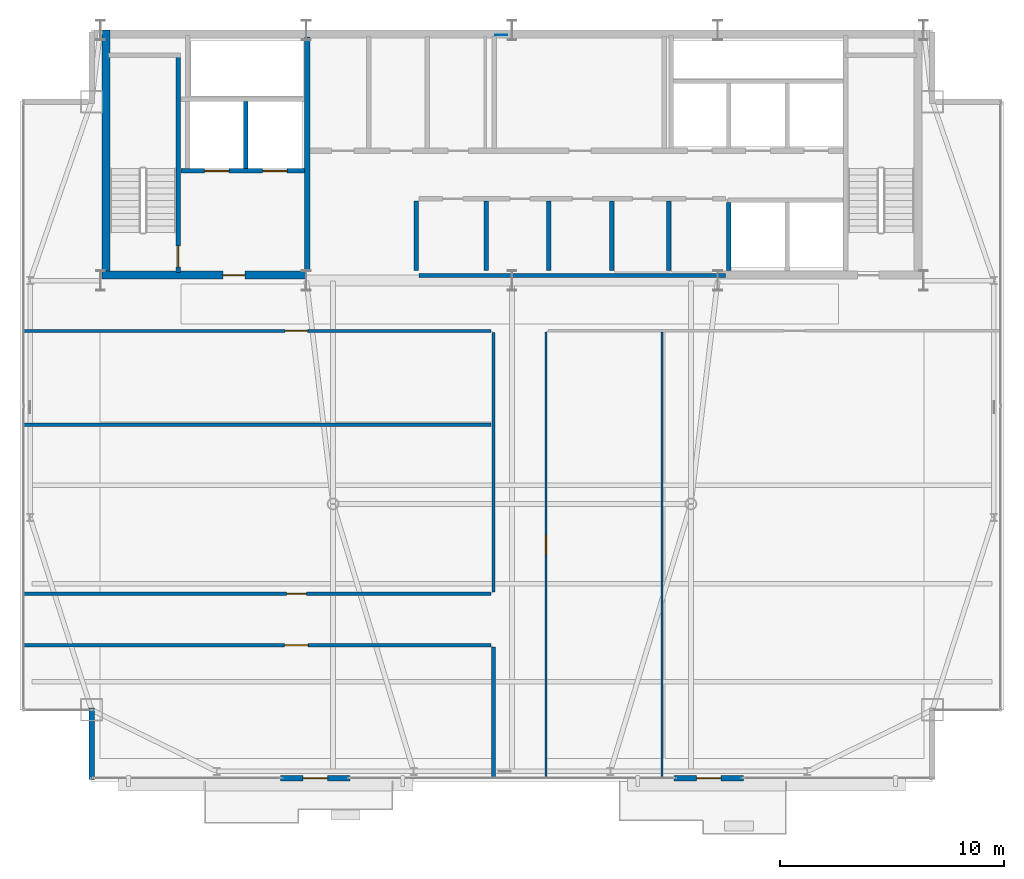
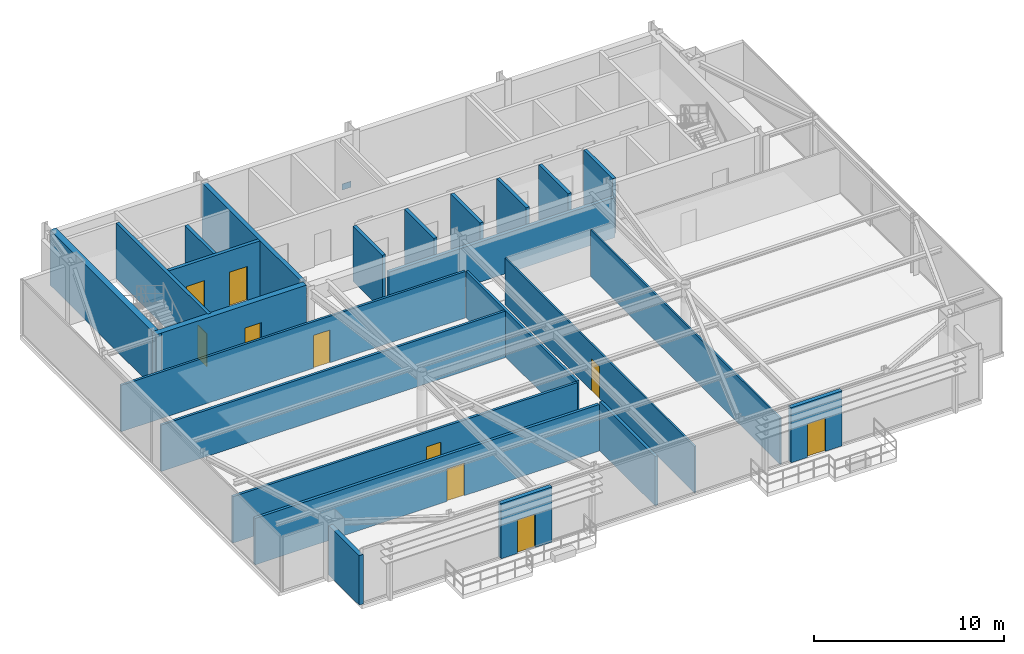
# One storey, part 19 of 23: 24 walls, 10 doors, 1 plate, 10 openings.
"""IFC4 building model written with IfcOpenShell, lengths in metres."""

from ifc_helpers import new_model, si_unit, direction, frame, frame_2d, origin, origin_2d, place, context, subcontext, project, spatial, rectangle, extrude, source, transform, mapped, material, layer, layer_set, type_object, type_shapes, element, fill, save


model = new_model("IFC4")

# Units and contexts
model_context = context("Model", 3, precision=1e-05, world=origin(), true_north=direction((0.0, 1.0)))
body_context = subcontext(model_context, "Body", "Model", "MODEL_VIEW")
ifc_project = project(units=[si_unit("LENGTHUNIT", "METRE"), si_unit("AREAUNIT", "SQUARE_METRE"), si_unit("VOLUMEUNIT", "CUBIC_METRE"), si_unit("PLANEANGLEUNIT", "RADIAN"), si_unit("MASSUNIT", "GRAM", prefix="KILO")], contexts=[model_context])

# Site, building, storey
site_placement = place(None, origin())
site = spatial("IfcSite", under=ifc_project, at=site_placement, CompositionType="ELEMENT")
building_placement = place(site_placement, origin())
building = spatial("IfcBuilding", under=site, at=building_placement, Name="Varnel Quay Broadcast Tower", CompositionType="ELEMENT")
storey_placement = place(building_placement, frame((0.0, 0.0, 266.0)))
storey = spatial("IfcBuildingStorey", under=building, at=storey_placement, Name="L66", CompositionType="ELEMENT", Elevation=266.0)

# Plate
ifc_material_1 = material(Name="Structural Steel CSA G40.21 350WT", Category="steel")
ifc_layer_1 = layer(ifc_material_1, 0.031982421875, Name="Structural Steel CSA G40.21 350WT")
ifc_layer_set_1 = layer_set([ifc_layer_1], Name="Structural Steel CSA G40.21 350WT")
plate_type = type_object("IfcPlateType", Name="Plate_EndCap", PredefinedType="USERDEFINED", material=ifc_layer_set_1)
shared_shape_1 = source(origin(), body_context, "Body", "SweptSolid", [
    extrude(rectangle(XDim=0.5400390625, YDim=0.031982421875, at=origin_2d()), origin(), (0.0, 0.0, 1.0), 0.3798828125),
])
type_shapes(plate_type, [shared_shape_1])
plate_placement = place(storey_placement, frame((33.524169921875, 46.580078125, 0.070556640625), z_axis=(0.0, 0.0, 1.0), x_axis=(1.0, 0.0, 0.0)))
element("IfcPlate", 1, at=plate_placement, inside=storey, type_object=plate_type, Name="Zone 5 Mega-Brace N-CT1 Diag B2 End Connection Plate P0", ObjectType="CAP_PLATE", PredefinedType="USERDEFINED", context=body_context, shape_type="MappedRepresentation", body=[
    mapped(shared_shape_1, transform((0.0, 0.0, 0.0), x_axis=(1.0, 0.0, 0.0), y_axis=(0.0, 1.0, 0.0), z_axis=(0.0, 0.0, 1.0), scale=1.0)),
])

# Wall, opening, door
ifc_material_2 = material(Name="Concrete CSA A23.3 C50/60", Category="concrete")
ifc_layer_2 = layer(ifc_material_2, 0.199951171875, Name="Concrete CSA A23.3 C50/60")
ifc_layer_set_2 = layer_set([ifc_layer_2], Name="Concrete CSA A23.3 C50/60")
wall_type_1 = type_object("IfcWallType", Name="Wall_CoreShaftShear200", PredefinedType="SHEAR", material=ifc_layer_set_2)
wall_1_placement = place(storey_placement, frame((19.080078125, 35.949951171875, 0.0), z_axis=(0.0, 0.0, 1.0), x_axis=(0.0, 1.0, 0.0)))
wall_1 = element("IfcWall", 2, at=wall_1_placement, inside=storey, type_object=wall_type_1, Name="L66 Stair 1 East Structural Wall", PredefinedType="SHEAR", context=body_context, shape_type="SweptSolid", body=[
    extrude(rectangle(XDim=9.650146484375, YDim=0.199951171875, at=frame_2d((4.8251953125, 0.0))), origin(), (0.0, 0.0, 1.0), 3.550048828125),
])
opening_1_placement = place(wall_1_placement, frame((0.25, 0.0, 0.0)))
opening_1 = element("IfcOpeningElement", 3, at=opening_1_placement, cuts=wall_1, Name="Opening D-L66-S1", PredefinedType="OPENING", context=body_context, shape_type="SweptSolid", body=[
    extrude(rectangle(XDim=0.949951171875, YDim=2.10009765625, at=frame_2d((0.47509765625, 1.050048828125))), frame((0.0, 0.10986328125, 0.0), z_axis=(0.0, -1.0, 0.0), x_axis=(1.0, 0.0, 0.0)), (0.0, 0.0, 1.0), 0.219970703125),
])
ifc_material_3 = material(Name="Insulated Fire-Rated Hollow Steel Door", Category="steel")
door_type_1 = type_object("IfcDoorType", Name="Door_FireStair950", OperationType="NOTDEFINED", PredefinedType="DOOR", material=ifc_material_3)
shared_shape_2 = source(origin(), body_context, "Body", "SweptSolid", [
    extrude(rectangle(XDim=0.949951171875, YDim=2.10009765625, at=frame_2d((0.47509765625, 1.050048828125))), frame((0.0, 0.02490234375, 0.0), z_axis=(0.0, -1.0, 0.0), x_axis=(1.0, 0.0, 0.0)), (0.0, 0.0, 1.0), 0.050048828125),
])
type_shapes(door_type_1, [shared_shape_2])
door_1_placement = place(opening_1_placement, origin())
door_1 = element("IfcDoor", 4, at=door_1_placement, inside=storey, type_object=door_type_1, Name="L66 Stair 1 Fire Door", OperationType="SINGLE_SWING_LEFT", OverallHeight=2.10009765625, OverallWidth=0.949951171875, PredefinedType="DOOR", context=body_context, shape_type="MappedRepresentation", body=[
    mapped(shared_shape_2, transform((0.0, 0.0, 0.0), x_axis=(1.0, 0.0, 0.0), y_axis=(0.0, 1.0, 0.0), z_axis=(0.0, 0.0, 1.0), scale=1.0)),
])
fill(opening_1, door_1)

# Wall, openings, doors
wall_2_placement = place(storey_placement, frame((19.199951171875, 40.5, 0.0), z_axis=(0.0, 0.0, 1.0), x_axis=(1.0, 0.0, 0.0)))
wall_2 = element("IfcWall", 5, at=wall_2_placement, inside=storey, type_object=wall_type_1, Name="L66 Firefighter Lift Shaft Front Wall", PredefinedType="SHEAR", context=body_context, shape_type="SweptSolid", body=[
    extrude(rectangle(XDim=5.52001953125, YDim=0.199951171875, at=frame_2d((2.760009765625, 0.0))), origin(), (0.0, 0.0, 1.0), 3.550048828125),
])
opening_2_placement = place(wall_2_placement, frame((1.050048828125, 0.0, 0.0)))
opening_2 = element("IfcOpeningElement", 6, at=opening_2_placement, cuts=wall_2, Name="Opening LD-L66-FE1", PredefinedType="OPENING", context=body_context, shape_type="SweptSolid", body=[
    extrude(rectangle(XDim=1.10009765625, YDim=2.179931640625, at=frame_2d((0.550048828125, 1.08984375))), frame((0.0, 0.10986328125, 0.0), z_axis=(0.0, -1.0, 0.0), x_axis=(1.0, 0.0, 0.0)), (0.0, 0.0, 1.0), 0.219970703125),
])
opening_3_placement = place(wall_2_placement, frame((3.64990234375, 0.0, 0.0)))
opening_3 = element("IfcOpeningElement", 7, at=opening_3_placement, cuts=wall_2, Name="Opening LD-L66-FE2", PredefinedType="OPENING", context=body_context, shape_type="SweptSolid", body=[
    extrude(rectangle(XDim=1.10009765625, YDim=2.179931640625, at=frame_2d((0.550048828125, 1.08984375))), frame((0.0, 0.10986328125, 0.0), z_axis=(0.0, -1.0, 0.0), x_axis=(1.0, 0.0, 0.0)), (0.0, 0.0, 1.0), 0.219970703125),
])
ifc_material_4 = material(Name="Brushed Bronze-Stainless Lift Car & Sliding Doors", Category="steel")
door_type_2 = type_object("IfcDoorType", Name="Door_LiftLanding1100", OperationType="SLIDING_TO_LEFT", PredefinedType="DOOR", material=ifc_material_4)
shared_shape_3 = source(origin(), body_context, "Body", "SweptSolid", [
    extrude(rectangle(XDim=1.10009765625, YDim=2.179931640625, at=frame_2d((0.550048828125, 1.08984375))), frame((0.0, 0.02490234375, 0.0), z_axis=(0.0, -1.0, 0.0), x_axis=(1.0, 0.0, 0.0)), (0.0, 0.0, 1.0), 0.050048828125),
])
type_shapes(door_type_2, [shared_shape_3])
door_2_placement = place(opening_2_placement, frame((1.10009765625, 0.0, 0.0), z_axis=(0.0, 0.0, 1.0), x_axis=(-1.0, 0.0, 0.0)))
door_2 = element("IfcDoor", 8, at=door_2_placement, inside=storey, type_object=door_type_2, Name="L66 Firefighter Lift FE-01 Landing Door", OperationType="SLIDING_TO_LEFT", OverallHeight=2.179931640625, OverallWidth=1.10009765625, PredefinedType="DOOR", context=body_context, shape_type="MappedRepresentation", body=[
    mapped(shared_shape_3, transform((0.0, 0.0, 0.0), x_axis=(1.0, 0.0, 0.0), y_axis=(0.0, 1.0, 0.0), z_axis=(0.0, 0.0, 1.0), scale=1.0)),
])
fill(opening_2, door_2)
door_3_placement = place(opening_3_placement, frame((1.10009765625, 0.0, 0.0), z_axis=(0.0, 0.0, 1.0), x_axis=(-1.0, 0.0, 0.0)))
door_3 = element("IfcDoor", 9, at=door_3_placement, inside=storey, type_object=door_type_2, Name="L66 Firefighter Lift FE-02 Landing Door", OperationType="SLIDING_TO_RIGHT", OverallHeight=2.179931640625, OverallWidth=1.10009765625, PredefinedType="DOOR", context=body_context, shape_type="MappedRepresentation", body=[
    mapped(shared_shape_3, transform((0.0, 0.0, 0.0), x_axis=(1.0, 0.0, 0.0), y_axis=(0.0, 1.0, 0.0), z_axis=(0.0, 0.0, 1.0), scale=1.0)),
])
fill(opening_3, door_3)

# Walls
wall_3_placement = place(storey_placement, frame((22.10009765625, 40.60009765625, 0.0), z_axis=(0.0, 0.0, 1.0), x_axis=(0.0, 1.0, 0.0)))
element("IfcWall", 10, at=wall_3_placement, inside=storey, type_object=wall_type_1, Name="L66 Firefighter Lift Shaft Divider", PredefinedType="SHEAR", context=body_context, shape_type="SweptSolid", body=[
    extrude(rectangle(XDim=3.0, YDim=0.199951171875, at=frame_2d((1.5, 0.0))), origin(), (0.0, 0.0, 1.0), 3.550048828125),
])
wall_4_placement = place(storey_placement, frame((43.699951171875, 36.050048828125, 0.0), z_axis=(0.0, 0.0, 1.0), x_axis=(0.0, 1.0, 0.0)))
element("IfcWall", 11, at=wall_4_placement, inside=storey, type_object=wall_type_1, Name="L66 Express Lift Shaft West Wall", PredefinedType="SHEAR", context=body_context, shape_type="SweptSolid", body=[
    extrude(rectangle(XDim=3.050048828125, YDim=0.199951171875, at=frame_2d((1.52490234375, 0.0))), origin(), (0.0, 0.0, 1.0), 3.550048828125),
])
ifc_layer_3 = layer(ifc_material_2, 0.25, Name="Concrete CSA A23.3 C50/60")
ifc_layer_set_3 = layer_set([ifc_layer_3], Name="Concrete CSA A23.3 C50/60")
wall_type_2 = type_object("IfcWallType", Name="Wall_CoreShaftShear250", PredefinedType="SHEAR", material=ifc_layer_set_3)
wall_5_placement = place(storey_placement, frame((24.85009765625, 36.050048828125, 0.0), z_axis=(0.0, 0.0, 1.0), x_axis=(0.0, 1.0, 0.0)))
element("IfcWall", 12, at=wall_5_placement, inside=storey, type_object=wall_type_2, Name="L66 Firefighting Lobby East Structural Wall", PredefinedType="SHEAR", context=body_context, shape_type="SweptSolid", body=[
    extrude(rectangle(XDim=10.449951171875, YDim=0.25, at=frame_2d((5.22509765625, 0.0))), origin(), (0.0, 0.0, 1.0), 3.550048828125),
])
ifc_layer_4 = layer(ifc_material_2, 0.35009765625, Name="Concrete CSA A23.3 C50/60")
ifc_layer_set_4 = layer_set([ifc_layer_4], Name="Concrete CSA A23.3 C50/60")
wall_type_3 = type_object("IfcWallType", Name="Wall_CoreShearInt350", PredefinedType="SHEAR", material=ifc_layer_set_4)
wall_6_placement = place(storey_placement, frame((15.844970703125, 35.669921875, 0.0), z_axis=(0.0, 0.0, 1.0), x_axis=(0.0, 1.0, 0.0)))
element("IfcWall", 13, at=wall_6_placement, inside=storey, type_object=wall_type_3, Name="L66 West Core Shear Wall", PredefinedType="SHEAR", context=body_context, shape_type="SweptSolid", body=[
    extrude(rectangle(XDim=11.130126953125, YDim=0.35009765625, at=frame_2d((5.56494140625, 0.0))), origin(), (0.0, 0.0, 1.0), 3.550048828125),
])

# Wall, opening, door
wall_7_placement = place(storey_placement, frame((15.669921875, 35.844970703125, 0.0), z_axis=(0.0, 0.0, 1.0), x_axis=(1.0, 0.0, 0.0)))
wall_7 = element("IfcWall", 14, at=wall_7_placement, inside=storey, type_object=wall_type_3, Name="L66 South-West Core Shear Wall", PredefinedType="SHEAR", context=body_context, shape_type="SweptSolid", body=[
    extrude(rectangle(XDim=9.130126953125, YDim=0.35009765625, at=frame_2d((4.56494140625, 0.0))), origin(), (0.0, 0.0, 1.0), 3.550048828125),
])
opening_4_placement = place(wall_7_placement, frame((5.39990234375, 0.0, 0.0)))
opening_4 = element("IfcOpeningElement", 15, at=opening_4_placement, cuts=wall_7, Name="Opening D-L66-FFL", PredefinedType="OPENING", context=body_context, shape_type="SweptSolid", body=[
    extrude(rectangle(XDim=1.0, YDim=2.10009765625, at=frame_2d((0.5, 1.050048828125))), frame((0.0, 0.18505859375, 0.0), z_axis=(0.0, -1.0, 0.0), x_axis=(1.0, 0.0, 0.0)), (0.0, 0.0, 1.0), 0.3701171875),
])
door_type_3 = type_object("IfcDoorType", Name="Door_FireLobby1000", OperationType="NOTDEFINED", PredefinedType="DOOR", material=ifc_material_3)
shared_shape_4 = source(origin(), body_context, "Body", "SweptSolid", [
    extrude(rectangle(XDim=1.0, YDim=2.10009765625, at=frame_2d((0.5, 1.050048828125))), frame((0.0, 0.02490234375, 0.0), z_axis=(0.0, -1.0, 0.0), x_axis=(1.0, 0.0, 0.0)), (0.0, 0.0, 1.0), 0.050048828125),
])
type_shapes(door_type_3, [shared_shape_4])
door_4_placement = place(opening_4_placement, origin())
door_4 = element("IfcDoor", 16, at=door_4_placement, inside=storey, type_object=door_type_3, Name="L66 Firefighting Lobby Door", OperationType="SINGLE_SWING_RIGHT", OverallHeight=2.10009765625, OverallWidth=1.0, PredefinedType="DOOR", context=body_context, shape_type="MappedRepresentation", body=[
    mapped(shared_shape_4, transform((0.0, 0.0, 0.0), x_axis=(1.0, 0.0, 0.0), y_axis=(0.0, 1.0, 0.0), z_axis=(0.0, 0.0, 1.0), scale=1.0)),
])
fill(opening_4, door_4)

ifc_material_5 = material(Name="Precast Architectural Concrete C40/50", Category="concrete")
ifc_layer_5 = layer(ifc_material_5, 0.25, Name="Precast Architectural Concrete C40/50")
ifc_layer_set_5 = layer_set([ifc_layer_5], Name="Precast Architectural Concrete C40/50")
wall_type_4 = type_object("IfcWallType", Name="Wall_ExtTerrace250", PredefinedType="SOLIDWALL", material=ifc_layer_set_5)
wall_8_placement = place(storey_placement, frame((23.64990234375, 13.35009765625, 0.0), z_axis=(0.0, 0.0, 1.0), x_axis=(1.0, 0.0, 0.0)))
wall_8 = element("IfcWall", 17, at=wall_8_placement, inside=storey, type_object=wall_type_4, Name="L66 Terrace Access Wall 1", PredefinedType="SOLIDWALL", context=body_context, shape_type="SweptSolid", body=[
    extrude(rectangle(XDim=3.10009765625, YDim=0.25, at=frame_2d((1.550048828125, 0.0))), origin(), (0.0, 0.0, 1.0), 3.530029296875),
])
opening_5_placement = place(wall_8_placement, frame((1.0, 0.0, 0.0)))
opening_5 = element("IfcOpeningElement", 18, at=opening_5_placement, cuts=wall_8, Name="Opening TD-661", PredefinedType="OPENING", context=body_context, shape_type="SweptSolid", body=[
    extrude(rectangle(XDim=1.10009765625, YDim=2.14990234375, at=frame_2d((0.550048828125, 1.074951171875))), frame((0.0, 0.135009765625, 0.0), z_axis=(0.0, -1.0, 0.0), x_axis=(1.0, 0.0, 0.0)), (0.0, 0.0, 1.0), 0.27001953125),
])
ifc_material_6 = material(Name="Anodised Bronze Aluminium 6063-T6", Category="aluminium")
door_type_4 = type_object("IfcDoorType", Name="Door_ExtTerrace1100", OperationType="NOTDEFINED", PredefinedType="DOOR", material=ifc_material_6)
shared_shape_5 = source(origin(), body_context, "Body", "SweptSolid", [
    extrude(rectangle(XDim=1.10009765625, YDim=2.14990234375, at=frame_2d((0.550048828125, 1.074951171875))), frame((0.0, 0.02490234375, 0.0), z_axis=(0.0, -1.0, 0.0), x_axis=(1.0, 0.0, 0.0)), (0.0, 0.0, 1.0), 0.050048828125),
])
type_shapes(door_type_4, [shared_shape_5])
door_5_placement = place(opening_5_placement, frame((1.10009765625, 0.0, 0.0), z_axis=(0.0, 0.0, 1.0), x_axis=(-1.0, 0.0, 0.0)))
door_5 = element("IfcDoor", 19, at=door_5_placement, inside=storey, type_object=door_type_4, Name="L66 Terrace Door TD-661", OperationType="SINGLE_SWING_LEFT", OverallHeight=2.14990234375, OverallWidth=1.10009765625, PredefinedType="DOOR", context=body_context, shape_type="MappedRepresentation", body=[
    mapped(shared_shape_5, transform((0.0, 0.0, 0.0), x_axis=(1.0, 0.0, 0.0), y_axis=(0.0, 1.0, 0.0), z_axis=(0.0, 0.0, 1.0), scale=1.0)),
])
fill(opening_5, door_5)

wall_9_placement = place(storey_placement, frame((41.25, 13.35009765625, 0.0), z_axis=(0.0, 0.0, 1.0), x_axis=(1.0, 0.0, 0.0)))
wall_9 = element("IfcWall", 20, at=wall_9_placement, inside=storey, type_object=wall_type_4, Name="L66 Terrace Access Wall 2", PredefinedType="SOLIDWALL", context=body_context, shape_type="SweptSolid", body=[
    extrude(rectangle(XDim=3.10009765625, YDim=0.25, at=frame_2d((1.550048828125, 0.0))), origin(), (0.0, 0.0, 1.0), 3.530029296875),
])
opening_6_placement = place(wall_9_placement, frame((1.0, 0.0, 0.0)))
opening_6 = element("IfcOpeningElement", 21, at=opening_6_placement, cuts=wall_9, Name="Opening TD-662", PredefinedType="OPENING", context=body_context, shape_type="SweptSolid", body=[
    extrude(rectangle(XDim=1.10009765625, YDim=2.14990234375, at=frame_2d((0.550048828125, 1.074951171875))), frame((0.0, 0.135009765625, 0.0), z_axis=(0.0, -1.0, 0.0), x_axis=(1.0, 0.0, 0.0)), (0.0, 0.0, 1.0), 0.27001953125),
])
door_6_placement = place(opening_6_placement, frame((1.10009765625, 0.0, 0.0), z_axis=(0.0, 0.0, 1.0), x_axis=(-1.0, 0.0, 0.0)))
door_6 = element("IfcDoor", 22, at=door_6_placement, inside=storey, type_object=door_type_4, Name="L66 Terrace Door TD-662", OperationType="SINGLE_SWING_RIGHT", OverallHeight=2.14990234375, OverallWidth=1.10009765625, PredefinedType="DOOR", context=body_context, shape_type="MappedRepresentation", body=[
    mapped(shared_shape_5, transform((0.0, 0.0, 0.0), x_axis=(1.0, 0.0, 0.0), y_axis=(0.0, 1.0, 0.0), z_axis=(0.0, 0.0, 1.0), scale=1.0)),
])
fill(opening_6, door_6)

# Walls
wall_10_placement = place(storey_placement, frame((15.199951171875, 13.280029296875, 0.0), z_axis=(0.0, 0.0, 1.0), x_axis=(0.0, 1.0, 0.0)))
element("IfcWall", 23, at=wall_10_placement, inside=storey, type_object=wall_type_4, Name="L66 Mega-Column Notch Cladding Wall NSW2", PredefinedType="SOLIDWALL", context=body_context, shape_type="SweptSolid", body=[
    extrude(rectangle(XDim=3.199951171875, YDim=0.25, at=frame_2d((1.60009765625, 0.0))), origin(), (0.0, 0.0, 1.0), 3.1708984375),
])
ifc_material_7 = material(Name="Concrete Blockwork Fire Enclosure C40/50", Category="masonry")
ifc_layer_6 = layer(ifc_material_7, 0.199951171875, Name="Concrete Blockwork Fire Enclosure C40/50")
ifc_layer_set_6 = layer_set([ifc_layer_6], Name="Concrete Blockwork Fire Enclosure C40/50")
wall_type_5 = type_object("IfcWallType", Name="Wall_FireShaft200", PredefinedType="SOLIDWALL", material=ifc_layer_set_6)
wall_11_placement = place(storey_placement, frame((29.85009765625, 35.824951171875, 0.0), z_axis=(0.0, 0.0, 1.0), x_axis=(1.0, 0.0, 0.0)))
element("IfcWall", 24, at=wall_11_placement, inside=storey, type_object=wall_type_5, Name="L66 Accessible Washroom Partition 1", PredefinedType="SOLIDWALL", context=body_context, shape_type="SweptSolid", body=[
    extrude(rectangle(XDim=13.699951171875, YDim=0.199951171875, at=frame_2d((6.85009765625, 0.0))), origin(), (0.0, 0.0, 1.0), 2.574951171875),
])
wall_12_placement = place(storey_placement, frame((41.0, 36.050048828125, 0.0), z_axis=(0.0, 0.0, 1.0), x_axis=(0.0, 1.0, 0.0)))
element("IfcWall", 25, at=wall_12_placement, inside=storey, type_object=wall_type_5, Name="L66 Cleaners' & Linen Store Partition 7", PredefinedType="SOLIDWALL", context=body_context, shape_type="SweptSolid", body=[
    extrude(rectangle(XDim=3.099853515625, YDim=0.199951171875, at=frame_2d((1.5498046875, 0.0))), origin(), (0.0, 0.0, 1.0), 3.530029296875),
])
ifc_material_8 = material(Name="Steel-Stud Fire-Rated Acoustic Gypsum Partition Assembly", Category="steel")
ifc_layer_7 = layer(ifc_material_8, 0.10498046875, Name="Steel-Stud Fire-Rated Acoustic Gypsum Partition Assembly")
ifc_layer_set_7 = layer_set([ifc_layer_7], Name="Steel-Stud Fire-Rated Acoustic Gypsum Partition Assembly")
wall_type_6 = type_object("IfcWallType", Name="Wall_Partition105", PredefinedType="PARTITIONING", material=ifc_layer_set_7)
wall_13_placement = place(storey_placement, frame((40.7099609375, 13.3798828125, 0.0), z_axis=(0.0, 0.0, 1.0), x_axis=(0.0, 1.0, 0.0)))
element("IfcWall", 26, at=wall_13_placement, inside=storey, type_object=wall_type_6, Name="L66 Camera Locker Store 4 Partition 14", PredefinedType="PARTITIONING", context=body_context, shape_type="SweptSolid", body=[
    extrude(rectangle(XDim=19.917236328125, YDim=0.10498046875, at=frame_2d((9.95849609375, 0.0))), origin(), (0.0, 0.0, 1.0), 2.98095703125),
])

# Wall, opening, door
wall_14_placement = place(storey_placement, frame((35.52001953125, 13.3798828125, 0.0), z_axis=(0.0, 0.0, 1.0), x_axis=(0.0, 1.0, 0.0)))
wall_14 = element("IfcWall", 27, at=wall_14_placement, inside=storey, type_object=wall_type_6, Name="L66 Camera Locker Store 4 Partition 16", PredefinedType="PARTITIONING", context=body_context, shape_type="SweptSolid", body=[
    extrude(rectangle(XDim=19.917236328125, YDim=0.10498046875, at=frame_2d((9.95849609375, 0.0))), origin(), (0.0, 0.0, 1.0), 2.98095703125),
])
opening_7_placement = place(wall_14_placement, frame((9.949951171875, 0.0, 0.0)))
opening_7 = element("IfcOpeningElement", 28, at=opening_7_placement, cuts=wall_14, Name="Opening D-L66-09", PredefinedType="OPENING", context=body_context, shape_type="SweptSolid", body=[
    extrude(rectangle(XDim=0.8798828125, YDim=2.06005859375, at=frame_2d((0.43994140625, 1.030029296875))), frame((0.0, 0.0625, 0.0), z_axis=(0.0, -1.0, 0.0), x_axis=(1.0, 0.0, 0.0)), (0.0, 0.0, 1.0), 0.125),
])
ifc_material_9 = material(Name="Solid-Core Fire-Rated Acoustic Oak Veneer Door", Category="wood")
door_type_5 = type_object("IfcDoorType", Name="Door_Booth880", OperationType="NOTDEFINED", PredefinedType="DOOR", material=ifc_material_9)
shared_shape_6 = source(origin(), body_context, "Body", "SweptSolid", [
    extrude(rectangle(XDim=0.8798828125, YDim=2.06005859375, at=frame_2d((0.43994140625, 1.030029296875))), frame((0.0, 0.02490234375, 0.0), z_axis=(0.0, -1.0, 0.0), x_axis=(1.0, 0.0, 0.0)), (0.0, 0.0, 1.0), 0.050048828125),
])
type_shapes(door_type_5, [shared_shape_6])
door_7_placement = place(opening_7_placement, frame((0.8798828125, 0.0, 0.0), z_axis=(0.0, 0.0, 1.0), x_axis=(-1.0, 0.0, 0.0)))
door_7 = element("IfcDoor", 29, at=door_7_placement, inside=storey, type_object=door_type_5, Name="L66 Camera Locker Store 4 Door D-L66-09", OperationType="SINGLE_SWING_RIGHT", OverallHeight=2.06005859375, OverallWidth=0.8798828125, PredefinedType="DOOR", context=body_context, shape_type="MappedRepresentation", body=[
    mapped(shared_shape_6, transform((0.0, 0.0, 0.0), x_axis=(1.0, 0.0, 0.0), y_axis=(0.0, 1.0, 0.0), z_axis=(0.0, 0.0, 1.0), scale=1.0)),
])
fill(opening_7, door_7)

ifc_layer_8 = layer(ifc_material_8, 0.139892578125, Name="Steel-Stud Fire-Rated Acoustic Gypsum Partition Assembly")
ifc_layer_set_8 = layer_set([ifc_layer_8], Name="Steel-Stud Fire-Rated Acoustic Gypsum Partition Assembly")
wall_type_7 = type_object("IfcWallType", Name="Wall_Partition140", PredefinedType="PARTITIONING", material=ifc_layer_set_8)
wall_15_placement = place(storey_placement, frame((12.179931640625, 33.35009765625, 0.0), z_axis=(0.0, 0.0, 1.0), x_axis=(1.0, 0.0, 0.0)))
wall_15 = element("IfcWall", 30, at=wall_15_placement, inside=storey, type_object=wall_type_7, Name="L66 Press Green Lounge 3 Partition 13", PredefinedType="PARTITIONING", context=body_context, shape_type="SweptSolid", body=[
    extrude(rectangle(XDim=20.89013671875, YDim=0.139892578125, at=frame_2d((10.445068359375, 0.0))), origin(), (0.0, 0.0, 1.0), 2.98095703125),
])
opening_8_placement = place(wall_15_placement, frame((11.679931640625, 0.0, 0.0)))
opening_8 = element("IfcOpeningElement", 31, at=opening_8_placement, cuts=wall_15, Name="Opening D-L66-08", PredefinedType="OPENING", context=body_context, shape_type="SweptSolid", body=[
    extrude(rectangle(XDim=1.0, YDim=2.10009765625, at=frame_2d((0.5, 1.050048828125))), frame((0.0, 0.080078125, 0.0), z_axis=(0.0, -1.0, 0.0), x_axis=(1.0, 0.0, 0.0)), (0.0, 0.0, 1.0), 0.159912109375),
])
door_type_6 = type_object("IfcDoorType", Name="Door_Exec1000", OperationType="NOTDEFINED", PredefinedType="DOOR", material=ifc_material_9)
shared_shape_7 = source(origin(), body_context, "Body", "SweptSolid", [
    extrude(rectangle(XDim=1.0, YDim=2.10009765625, at=frame_2d((0.5, 1.050048828125))), frame((0.0, 0.02490234375, 0.0), z_axis=(0.0, -1.0, 0.0), x_axis=(1.0, 0.0, 0.0)), (0.0, 0.0, 1.0), 0.050048828125),
])
type_shapes(door_type_6, [shared_shape_7])
door_8_placement = place(opening_8_placement, frame((1.0, 0.0, 0.0), z_axis=(0.0, 0.0, 1.0), x_axis=(-1.0, 0.0, 0.0)))
door_8 = element("IfcDoor", 32, at=door_8_placement, inside=storey, type_object=door_type_6, Name="L66 Press Green Lounge 3 Door D-L66-08", OperationType="SINGLE_SWING_LEFT", OverallHeight=2.10009765625, OverallWidth=1.0, PredefinedType="DOOR", context=body_context, shape_type="MappedRepresentation", body=[
    mapped(shared_shape_7, transform((0.0, 0.0, 0.0), x_axis=(1.0, 0.0, 0.0), y_axis=(0.0, 1.0, 0.0), z_axis=(0.0, 0.0, 1.0), scale=1.0)),
])
fill(opening_8, door_8)

ifc_layer_9 = layer(ifc_material_8, 0.14990234375, Name="Steel-Stud Fire-Rated Acoustic Gypsum Partition Assembly")
ifc_layer_set_9 = layer_set([ifc_layer_9], Name="Steel-Stud Fire-Rated Acoustic Gypsum Partition Assembly")
wall_type_8 = type_object("IfcWallType", Name="Wall_Partition150", PredefinedType="PARTITIONING", material=ifc_layer_set_9)
wall_16_placement = place(storey_placement, frame((12.179931640625, 21.590087890625, 0.0), z_axis=(0.0, 0.0, 1.0), x_axis=(1.0, 0.0, 0.0)))
wall_16 = element("IfcWall", 33, at=wall_16_placement, inside=storey, type_object=wall_type_8, Name="L66 Break Kitchen 2 Partition 10", PredefinedType="PARTITIONING", context=body_context, shape_type="SweptSolid", body=[
    extrude(rectangle(XDim=20.89013671875, YDim=0.14990234375, at=frame_2d((10.445068359375, 0.0))), origin(), (0.0, 0.0, 1.0), 2.98095703125),
])
opening_9_placement = place(wall_16_placement, frame((11.739990234375, 0.0, 0.0)))
opening_9 = element("IfcOpeningElement", 34, at=opening_9_placement, cuts=wall_16, Name="Opening D-L66-07", PredefinedType="OPENING", context=body_context, shape_type="SweptSolid", body=[
    extrude(rectangle(XDim=0.8798828125, YDim=2.06005859375, at=frame_2d((0.43994140625, 1.030029296875))), frame((0.0, 0.0849609375, 0.0), z_axis=(0.0, -1.0, 0.0), x_axis=(1.0, 0.0, 0.0)), (0.0, 0.0, 1.0), 0.169921875),
])
door_9_placement = place(opening_9_placement, origin())
door_9 = element("IfcDoor", 35, at=door_9_placement, inside=storey, type_object=door_type_5, Name="L66 Break Kitchen 2 Door D-L66-07", OperationType="SINGLE_SWING_RIGHT", OverallHeight=2.06005859375, OverallWidth=0.8798828125, PredefinedType="DOOR", context=body_context, shape_type="MappedRepresentation", body=[
    mapped(shared_shape_6, transform((0.0, 0.0, 0.0), x_axis=(1.0, 0.0, 0.0), y_axis=(0.0, 1.0, 0.0), z_axis=(0.0, 0.0, 1.0), scale=1.0)),
])
fill(opening_9, door_9)

# Walls
wall_17_placement = place(storey_placement, frame((33.169921875, 21.6650390625, 0.0), z_axis=(0.0, 0.0, 1.0), x_axis=(0.0, 1.0, 0.0)))
element("IfcWall", 36, at=wall_17_placement, inside=storey, type_object=wall_type_8, Name="L66 Break Kitchen 2 Partition 11", PredefinedType="PARTITIONING", context=body_context, shape_type="SweptSolid", body=[
    extrude(rectangle(XDim=11.614990234375, YDim=0.14990234375, at=frame_2d((5.8076171875, 0.0))), origin(), (0.0, 0.0, 1.0), 2.98095703125),
])
wall_18_placement = place(storey_placement, frame((12.179931640625, 29.14990234375, 0.0), z_axis=(0.0, 0.0, 1.0), x_axis=(1.0, 0.0, 0.0)))
element("IfcWall", 37, at=wall_18_placement, inside=storey, type_object=wall_type_8, Name="L66 Break Kitchen 2 Partition 12", PredefinedType="PARTITIONING", context=body_context, shape_type="SweptSolid", body=[
    extrude(rectangle(XDim=20.89013671875, YDim=0.14990234375, at=frame_2d((10.445068359375, 0.0))), origin(), (0.0, 0.0, 1.0), 2.98095703125),
])
ifc_layer_10 = layer(ifc_material_8, 0.175048828125, Name="Steel-Stud Fire-Rated Acoustic Gypsum Partition Assembly")
ifc_layer_set_10 = layer_set([ifc_layer_10], Name="Steel-Stud Fire-Rated Acoustic Gypsum Partition Assembly")
wall_type_9 = type_object("IfcWallType", Name="Wall_Partition175", PredefinedType="PARTITIONING", material=ifc_layer_set_10)
wall_19_placement = place(storey_placement, frame((33.169921875, 13.3798828125, 0.0), z_axis=(0.0, 0.0, 1.0), x_axis=(0.0, 1.0, 0.0)))
element("IfcWall", 38, at=wall_19_placement, inside=storey, type_object=wall_type_9, Name="L66 Editorial Boardroom 1 Partition 8", PredefinedType="PARTITIONING", context=body_context, shape_type="SweptSolid", body=[
    extrude(rectangle(XDim=5.822998046875, YDim=0.175048828125, at=frame_2d((2.91162109375, 0.0))), origin(), (0.0, 0.0, 1.0), 3.1708984375),
])

# Wall, opening, door
wall_20_placement = place(storey_placement, frame((12.179931640625, 19.2900390625, 0.0), z_axis=(0.0, 0.0, 1.0), x_axis=(1.0, 0.0, 0.0)))
wall_20 = element("IfcWall", 39, at=wall_20_placement, inside=storey, type_object=wall_type_9, Name="L66 Editorial Boardroom 1 Partition 9", PredefinedType="PARTITIONING", context=body_context, shape_type="SweptSolid", body=[
    extrude(rectangle(XDim=20.89013671875, YDim=0.175048828125, at=frame_2d((10.445068359375, 0.0))), origin(), (0.0, 0.0, 1.0), 2.98095703125),
])
opening_10_placement = place(wall_20_placement, frame((11.655029296875, 0.0, 0.0)))
opening_10 = element("IfcOpeningElement", 40, at=opening_10_placement, cuts=wall_20, Name="Opening D-L66-06", PredefinedType="OPENING", context=body_context, shape_type="SweptSolid", body=[
    extrude(rectangle(XDim=1.050048828125, YDim=2.10009765625, at=frame_2d((0.52490234375, 1.050048828125))), frame((0.0, 0.09765625, 0.0), z_axis=(0.0, -1.0, 0.0), x_axis=(1.0, 0.0, 0.0)), (0.0, 0.0, 1.0), 0.195068359375),
])
door_type_7 = type_object("IfcDoorType", Name="Door_Meeting1050", OperationType="NOTDEFINED", PredefinedType="DOOR", material=ifc_material_9)
shared_shape_8 = source(origin(), body_context, "Body", "SweptSolid", [
    extrude(rectangle(XDim=1.050048828125, YDim=2.10009765625, at=frame_2d((0.52490234375, 1.050048828125))), frame((0.0, 0.02490234375, 0.0), z_axis=(0.0, -1.0, 0.0), x_axis=(1.0, 0.0, 0.0)), (0.0, 0.0, 1.0), 0.050048828125),
])
type_shapes(door_type_7, [shared_shape_8])
door_10_placement = place(opening_10_placement, frame((1.050048828125, 0.0, 0.0), z_axis=(0.0, 0.0, 1.0), x_axis=(-1.0, 0.0, 0.0)))
door_10 = element("IfcDoor", 41, at=door_10_placement, inside=storey, type_object=door_type_7, Name="L66 Editorial Boardroom 1 Door D-L66-06", OperationType="SINGLE_SWING_LEFT", OverallHeight=2.10009765625, OverallWidth=1.050048828125, PredefinedType="DOOR", context=body_context, shape_type="MappedRepresentation", body=[
    mapped(shared_shape_8, transform((0.0, 0.0, 0.0), x_axis=(1.0, 0.0, 0.0), y_axis=(0.0, 1.0, 0.0), z_axis=(0.0, 0.0, 1.0), scale=1.0)),
])
fill(opening_10, door_10)

# Walls
ifc_material_10 = material(Name="Fire-Rated Moisture-Resistant Plumbing Chase Partition")
ifc_layer_11 = layer(ifc_material_10, 0.199951171875, Name="Fire-Rated Moisture-Resistant Plumbing Chase Partition")
ifc_layer_set_11 = layer_set([ifc_layer_11], Name="Fire-Rated Moisture-Resistant Plumbing Chase Partition")
wall_type_10 = type_object("IfcWallType", Name="Wall_Plumbing200", PredefinedType="PLUMBINGWALL", material=ifc_layer_set_11)
for number, where, z_axis, x_axis, name in (
    (42, (32.85009765625, 36.050048828125, 0.0), (0.0, 0.0, 1.0), (0.0, 1.0, 0.0), "L66 Accessible Washroom Partition 2"),
    (43, (29.72509765625, 36.050048828125, 0.0), (0.0, 0.0, 1.0), (0.0, 1.0, 0.0), "L66 Accessible Washroom Partition 4"),
    (44, (35.64990234375, 36.050048828125, 0.0), (0.0, 0.0, 1.0), (0.0, 1.0, 0.0), "L66 West Gender-Neutral Washroom Partition 5"),
    (45, (38.449951171875, 36.050048828125, 0.0), (0.0, 0.0, 1.0), (0.0, 1.0, 0.0), "L66 East Staff Washroom Partition 6"),
):
    element("IfcWall", number, at=place(storey_placement, frame(where, z_axis=z_axis, x_axis=x_axis)), inside=storey, type_object=wall_type_10, Name=name, PredefinedType="PLUMBINGWALL", context=body_context, shape_type="SweptSolid", body=[
        extrude(rectangle(XDim=3.099853515625, YDim=0.199951171875, at=frame_2d((1.5498046875, 0.0))), origin(), (0.0, 0.0, 1.0), 3.530029296875),
    ])

save(model, "model.ifc")
